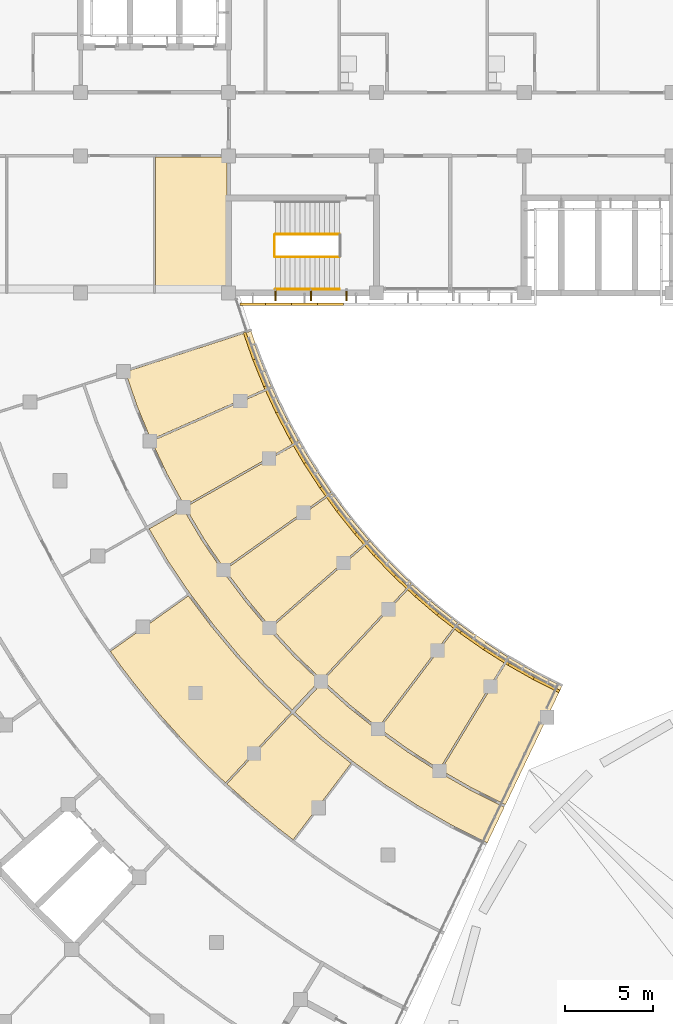
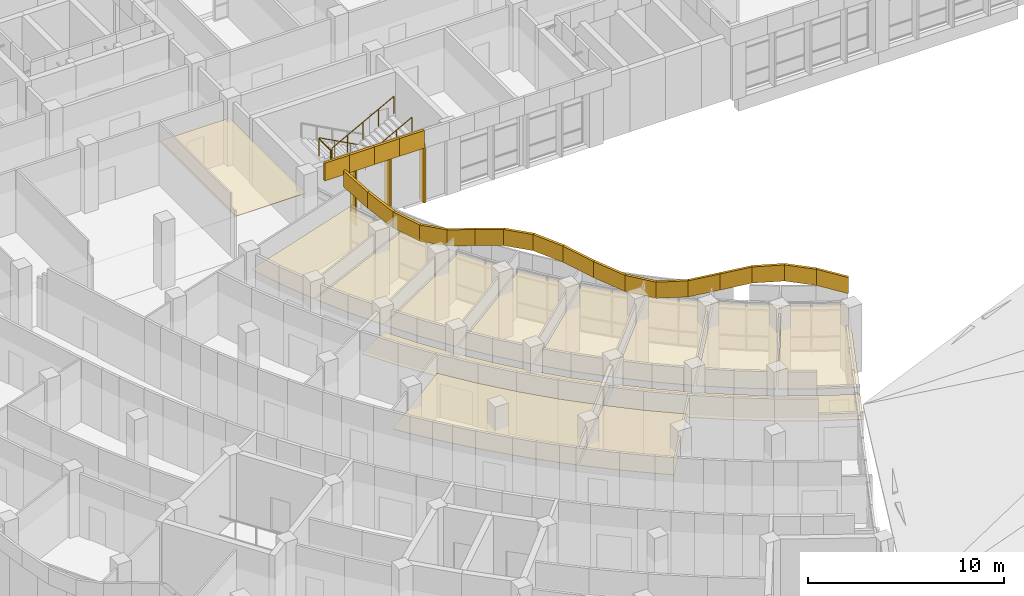
# One storey, part 123 of 137: 34 coverings, 4 railings, 3 shading devices.
"""IFC4 building model written with IfcOpenShell, lengths in metres."""

from ifc_helpers import new_model, si_unit, direction, frame, origin, origin_2d, place, context, subcontext, project, spatial, polyline, rectangle, circle, outline, extrude, material, layer, layer_set, material_profile, profile_set, type_object, element, save


model = new_model("IFC4")

# Units and contexts
model_context = context("Model", 3, precision=1e-05, world=origin(), true_north=direction((0.0, 1.0)))
body_context = subcontext(model_context, "Body", "Model", "MODEL_VIEW")
ifc_project = project(units=[si_unit("LENGTHUNIT", "METRE"), si_unit("AREAUNIT", "SQUARE_METRE"), si_unit("VOLUMEUNIT", "CUBIC_METRE"), si_unit("PLANEANGLEUNIT", "RADIAN"), si_unit("MASSUNIT", "GRAM", prefix="KILO")], contexts=[model_context])

# Site, building, storey
site_placement = place(None, origin())
site = spatial("IfcSite", under=ifc_project, at=site_placement, CompositionType="ELEMENT")
building_placement = place(site_placement, origin())
building = spatial("IfcBuilding", under=site, at=building_placement, Name="Bougainvillea Quay General Hospital", CompositionType="ELEMENT")
storey_placement = place(building_placement, frame((0.0, 0.0, 16.800048828125)))
storey = spatial("IfcBuildingStorey", under=building, at=storey_placement, Name="L03", CompositionType="ELEMENT", Elevation=16.800048828125)

# Coverings
ifc_material_1 = material(Name="Powder-coated aluminium fascia, white", Category="aluminium")
ifc_layer_1 = layer(ifc_material_1, 0.14990234375)
ifc_layer_set_1 = layer_set([ifc_layer_1], Name="Powder-coated aluminium fascia, white")
covering_type_1 = type_object("IfcCoveringType", Name="Aluminium fascia band white 150x1100", PredefinedType="CLADDING", material=ifc_layer_set_1)
covering_1_placement = place(storey_placement, frame((76.242919921875, 117.050048828125, 3.64990234375), z_axis=(0.0, 0.0, 1.0), x_axis=(1.0, 0.0, 0.0)))
element("IfcCovering", 1, at=covering_1_placement, inside=storey, type_object=covering_type_1, Name="Fascia band white e1 1", PredefinedType="CLADDING", context=body_context, shape_type="SweptSolid", body=[
    extrude(outline(polyline([(0.0, 0.0), (1.468994140625, 0.0), (1.468994140625, -0.150146484375), (0.0, -0.150146484375), (0.0, 0.0)])), origin(), (0.0, 0.0, 1.0), 1.10009765625),
])
for number, where, z_axis, x_axis, name in (
    (2, (77.7119140625, 117.050048828125, 3.64990234375), (0.0, 0.0, 1.0), (1.0, 0.0, 0.0), "Fascia band white e1 2"),
    (3, (79.1806640625, 117.050048828125, 3.64990234375), (0.0, 0.0, 1.0), (1.0, 0.0, 0.0), "Fascia band white e1 3"),
    (4, (80.6494140625, 117.050048828125, 3.64990234375), (0.0, 0.0, 1.0), (1.0, 0.0, 0.0), "Fascia band white e1 4"),
):
    element("IfcCovering", number, at=place(storey_placement, frame(where, z_axis=z_axis, x_axis=x_axis)), inside=storey, type_object=covering_type_1, Name=name, PredefinedType="CLADDING", context=body_context, shape_type="SweptSolid", body=[
        extrude(outline(polyline([(0.0, 0.0), (1.46875, 0.0), (1.46875, -0.150146484375), (0.0, -0.150146484375), (0.0, 0.0)])), origin(), (0.0, 0.0, 1.0), 1.10009765625),
    ])
ifc_material_2 = material(Name="Powder-coated aluminium fascia, red", Category="aluminium")
ifc_layer_2 = layer(ifc_material_2, 0.14990234375)
ifc_layer_set_2 = layer_set([ifc_layer_2], Name="Powder-coated aluminium fascia, red")
covering_type_2 = type_object("IfcCoveringType", Name="Aluminium wave fascia ribbon red 150x1000", PredefinedType="CLADDING", material=ifc_layer_set_2)
covering_2_placement = place(storey_placement, frame((94.427490234375, 95.04443359375, 3.633544921875), z_axis=(0.29806277186, -0.150269780387, 0.942643929134), x_axis=(-0.840941292661, 0.425905686942, 0.333799472929)))
element("IfcCovering", 5, at=covering_2_placement, inside=storey, type_object=covering_type_2, Name="Fascia ribbon red a03 1", PredefinedType="CLADDING", context=body_context, shape_type="SweptSolid", body=[
    extrude(outline(polyline([(0.0, 0.0), (1.7293815165750184, -6.700369425960417e-17), (1.7331561247472347, 0.14981915778696953), (9.408274299202435e-05, 0.15001991213305632), (0.0, 0.0)])), origin(), (0.333799472929, 0.000578566234, 0.942643929134), 1.0),
])
covering_3_placement = place(storey_placement, frame((92.97314453125, 95.781005859375, 4.211669921875), z_axis=(0.149121131202, -0.083691137305, 0.985270867206), x_axis=(-0.856654869586, 0.486725695188, 0.170998631743)))
element("IfcCovering", 6, at=covering_3_placement, inside=storey, type_object=covering_type_2, Name="Fascia ribbon red a03 2", PredefinedType="CLADDING", context=body_context, shape_type="SweptSolid", body=[
    extrude(outline(polyline([(0.0, 0.0), (1.6617966748202961, 1.7596601259439737e-16), (1.6653883479941658, 0.1499781847457367), (-0.003718429243266143, 0.14981424879547905), (0.0, 0.0)])), origin(), (0.170998631743, 0.000886665938, 0.985270867206), 1.0),
])
covering_4_placement = place(storey_placement, frame((91.549560546875, 96.58984375, 4.49609375), z_axis=(-0.090521747883, 0.05724041228, 0.994248132189), x_axis=(-0.839991064282, 0.531925149903, -0.107101105629)))
element("IfcCovering", 7, at=covering_4_placement, inside=storey, type_object=covering_type_2, Name="Fascia ribbon red a03 3", PredefinedType="CLADDING", context=body_context, shape_type="SweptSolid", body=[
    extrude(outline(polyline([(0.0, 0.0), (1.646819069200174, 1.0200140157425736e-16), (1.6502854699022804, 0.15014630277266355), (-0.0036607614235906333, 0.14997486154124662), (0.0, 0.0)])), origin(), (-0.107101105629, -6.9359481e-05, 0.994248132189), 1.0),
])
covering_5_placement = place(storey_placement, frame((90.166259765625, 97.4658203125, 4.31884765625), z_axis=(-0.25410717322, 0.178329686176, 0.950593534349), x_axis=(-0.778043366821, 0.546147038711, -0.310438289281)))
element("IfcCovering", 8, at=covering_5_placement, inside=storey, type_object=covering_type_2, Name="Fascia ribbon red a03 4", PredefinedType="CLADDING", context=body_context, shape_type="SweptSolid", body=[
    extrude(outline(polyline([(0.0, 0.0), (1.7223741294345825, -4.718989955743158e-17), (1.7262172405705087, 0.14991073318713827), (-0.003873702924946272, 0.15014117243473302), (0.0, 0.0)])), origin(), (-0.310438289281, -3.1650733e-05, 0.950593534349), 1.0),
])
covering_6_placement = place(storey_placement, frame((88.826171875, 98.406494140625, 3.782958984375), z_axis=(-0.265347335692, 0.20528850189, 0.942044278382), x_axis=(-0.744262432632, 0.577512821491, -0.335488259685)))
element("IfcCovering", 9, at=covering_6_placement, inside=storey, type_object=covering_type_2, Name="Fascia ribbon red a03 5", PredefinedType="CLADDING", context=body_context, shape_type="SweptSolid", body=[
    extrude(outline(polyline([(0.0, 0.0), (1.7378914895900057, -6.223320470066795e-17), (1.741952747603245, 0.1500335531321023), (-0.003738522266677123, 0.1499133754145552), (0.0, 0.0)])), origin(), (-0.335488259685, -0.000452968703, 0.942044278382), 1.0),
])
covering_7_placement = place(storey_placement, frame((87.53271484375, 99.41015625, 3.198974609375), z_axis=(-0.134563614988, 0.114059967721, 0.984318524302), x_axis=(-0.747992451129, 0.639836590862, -0.176398497865)))
element("IfcCovering", 10, at=covering_7_placement, inside=storey, type_object=covering_type_2, Name="Fascia ribbon red a03 6", PredefinedType="CLADDING", context=body_context, shape_type="SweptSolid", body=[
    extrude(outline(polyline([(0.0, 0.0), (1.6636318491195026, -1.406752318799942e-16), (1.6670891103112924, 0.15003677300289625), (-0.003404773134024968, 0.15004353487581687), (0.0, 0.0)])), origin(), (-0.176398497865, -0.000782729837, 0.984318524302), 1.0),
])
covering_8_placement = place(storey_placement, frame((86.288330078125, 100.474609375, 2.9052734375), z_axis=(0.074139042866, -0.068637084926, 0.994883085039), x_axis=(-0.724312944745, 0.682029203128, 0.101029323251)))
element("IfcCovering", 11, at=covering_8_placement, inside=storey, type_object=covering_type_2, Name="Fascia ribbon red a03 7", PredefinedType="CLADDING", context=body_context, shape_type="SweptSolid", body=[
    extrude(outline(polyline([(0.0, 0.0), (1.645552981483053, 6.318188160159277e-17), (1.649229370401358, 0.1499767285379104), (-0.0037846916529383702, 0.1500272811601432), (0.0, 0.0)])), origin(), (0.101029323251, 0.000850263226, 0.994883085039), 1.0),
])
covering_9_placement = place(storey_placement, frame((85.096435546875, 101.596923828125, 3.072265625), z_axis=(0.213169407889, -0.222031897342, 0.951451859057), x_axis=(-0.660756984961, 0.684588525166, 0.307796617975)))
element("IfcCovering", 12, at=covering_9_placement, inside=storey, type_object=covering_type_2, Name="Fascia ribbon red a03 8", PredefinedType="CLADDING", context=body_context, shape_type="SweptSolid", body=[
    extrude(outline(polyline([(0.0, 0.0), (1.7210812791511807, 2.168404344971009e-18), (1.7247689054219346, 0.14993252440957702), (-0.0037248904014808228, 0.14997969855575033), (0.0, 0.0)])), origin(), (0.307796617975, -0.000775796496, 0.951451859057), 1.0),
])
covering_10_placement = place(storey_placement, frame((83.959228515625, 102.775146484375, 3.603271484375), z_axis=(0.221694011756, -0.253784055746, 0.941512303797), x_axis=(-0.620804944437, 0.707846755873, 0.336978027715)))
element("IfcCovering", 13, at=covering_10_placement, inside=storey, type_object=covering_type_2, Name="Fascia ribbon red a03 9", PredefinedType="CLADDING", context=body_context, shape_type="SweptSolid", body=[
    extrude(outline(polyline([(0.0, 0.0), (1.7389917172675555, 2.3375398838787476e-16), (1.7427007986040153, 0.1498775125783651), (-0.003877510674861906, 0.14993170024237265), (0.0, 0.0)])), origin(), (0.336978027715, -0.000625009609, 0.941512303797), 1.0),
])
covering_11_placement = place(storey_placement, frame((82.879638671875, 104.006103515625, 4.190185546875), z_axis=(0.113176701432, -0.142173607942, 0.983350242517), x_axis=(-0.612360751827, 0.769410169803, 0.181720390233)))
element("IfcCovering", 14, at=covering_11_placement, inside=storey, type_object=covering_type_2, Name="Fascia ribbon red a03 10", PredefinedType="CLADDING", context=body_context, shape_type="SweptSolid", body=[
    extrude(outline(polyline([(0.0, 0.0), (1.6649085019730718, 2.831969955850028e-16), (1.6686074171510314, 0.15000656372553026), (-0.0037282358307239856, 0.14987385998797417), (0.0, 0.0)])), origin(), (0.181720390233, 1.7767617e-05, 0.983350242517), 1.0),
])
covering_12_placement = place(storey_placement, frame((81.860107421875, 105.287109375, 4.492919921875), z_axis=(-0.055480503471, 0.077039083511, 0.99548324614), x_axis=(-0.582005707547, 0.807623829897, -0.094937378124)))
element("IfcCovering", 15, at=covering_12_placement, inside=storey, type_object=covering_type_2, Name="Fascia ribbon red a03 11", PredefinedType="CLADDING", context=body_context, shape_type="SweptSolid", body=[
    extrude(outline(polyline([(0.0, 0.0), (1.6447731011677573, 6.164028163758994e-17), (1.648440410617964, 0.14995005225816369), (-0.0035731247437200287, 0.15000856050528202), (0.0, 0.0)])), origin(), (-0.094937378124, 2.9809609e-05, 0.99548324614), 1.0),
])
covering_13_placement = place(storey_placement, frame((80.90283203125, 106.615478515625, 4.336181640625), z_axis=(-0.166956885659, 0.25524364076, 0.952352918924), x_axis=(-0.519290907554, 0.798319223065, -0.304997330179)))
element("IfcCovering", 16, at=covering_13_placement, inside=storey, type_object=covering_type_2, Name="Fascia ribbon red a03 12", PredefinedType="CLADDING", context=body_context, shape_type="SweptSolid", body=[
    extrude(outline(polyline([(0.0, 0.0), (1.719319283745612, -5.7462715141731735e-18), (1.7230441426938028, 0.15003235199952503), (-0.003651433006408403, 0.14995289246286614), (0.0, 0.0)])), origin(), (-0.304997330179, -0.000739189386, 0.952352918924), 1.0),
])
covering_14_placement = place(storey_placement, frame((80.010009765625, 107.988037109375, 3.810546875), z_axis=(-0.170928319809, 0.292036952201, 0.941008994663), x_axis=(-0.474932083196, 0.812365354701, -0.338381510773)))
element("IfcCovering", 17, at=covering_14_placement, inside=storey, type_object=covering_type_2, Name="Fascia ribbon red a03 13", PredefinedType="CLADDING", context=body_context, shape_type="SweptSolid", body=[
    extrude(outline(polyline([(0.0, 0.0), (1.7400919700489086, 3.542630598596386e-17), (1.7437834965656964, 0.15011061702443332), (-0.003832138088483066, 0.1500296424633766), (0.0, 0.0)])), origin(), (-0.338381510773, -0.00015852707, 0.941008994663), 1.0),
])
covering_15_placement = place(storey_placement, frame((79.18359375, 109.401611328125, 3.220703125), z_axis=(-0.085836398243, 0.166158225325, 0.982356125289), x_axis=(-0.454725053137, 0.870775138862, -0.187018137061)))
element("IfcCovering", 18, at=covering_15_placement, inside=storey, type_object=covering_type_2, Name="Fascia ribbon red a03 14", PredefinedType="CLADDING", context=body_context, shape_type="SweptSolid", body=[
    extrude(outline(polyline([(0.0, 0.0), (1.6665469119528022, -3.230922474006803e-17), (1.6703072154133414, 0.1500842695197681), (-0.0037621990244443406, 0.15010566611402096), (0.0, 0.0)])), origin(), (-0.187018137061, 0.000812106241, 0.982356125289), 1.0),
])
covering_16_placement = place(storey_placement, frame((78.42578125, 110.852783203125, 2.908935546875), z_axis=(0.037195416722, -0.080602106916, 0.996052107741), x_axis=(-0.418392496294, 0.903917878309, 0.088770424796)))
element("IfcCovering", 19, at=covering_16_placement, inside=storey, type_object=covering_type_2, Name="Fascia ribbon red a03 15", PredefinedType="CLADDING", context=body_context, shape_type="SweptSolid", body=[
    extrude(outline(polyline([(0.0, 0.0), (1.6437626496707045, 9.059694997242546e-17), (1.6475700096443124, 0.14998111887197518), (-0.0034635322063364888, 0.1500913493026283), (0.0, 0.0)])), origin(), (0.088770424796, -0.000101714553, 0.996052107741), 1.0),
])
covering_17_placement = place(storey_placement, frame((77.738037109375, 112.338623046875, 3.055419921875), z_axis=(0.114295520474, -0.279717192555, 0.95325485899), x_axis=(-0.358729945052, 0.883180623372, 0.302166862882)))
element("IfcCovering", 20, at=covering_17_placement, inside=storey, type_object=covering_type_2, Name="Fascia ribbon red a03 16", PredefinedType="CLADDING", context=body_context, shape_type="SweptSolid", body=[
    extrude(outline(polyline([(0.0, 0.0), (1.717755255231805, 3.491130995403324e-17), (1.7214777105112153, 0.15009020695442818), (-0.0035109986681412133, 0.14999082552653253), (0.0, 0.0)])), origin(), (0.302166862882, 0.000600655905, 0.95325485899), 1.0),
])
covering_18_placement = place(storey_placement, frame((77.121826171875, 113.855712890625, 3.57568359375), z_axis=(0.113034990162, -0.320516082448, 0.940474631179), x_axis=(-0.311859242978, 0.88726346555, 0.339863730443)))
element("IfcCovering", 21, at=covering_18_placement, inside=storey, type_object=covering_type_2, Name="Fascia ribbon red a03 17", PredefinedType="CLADDING", context=body_context, shape_type="SweptSolid", body=[
    extrude(outline(polyline([(0.0, 0.0), (1.7332568640154546, -9.839134715305953e-18), (1.733226740469295, 0.1501049854812047), (-0.00385832261471329, 0.15008676975075455), (0.0, 0.0)])), origin(), (0.339863730443, 0.000335914265, 0.940474631179), 1.0),
])

# Railings
ifc_material_3 = material(Name="Stainless steel 304 balustrade", Category="steel")
railing_type_1 = type_object("IfcRailingType", Name="Stair guard 1100", PredefinedType="GUARDRAIL", material=ifc_material_3)
railing_1_placement = place(storey_placement, frame((81.89990234375, 120.949951171875, 0.14990234375)))
element("IfcRailing", 22, at=railing_1_placement, inside=storey, type_object=railing_type_1, Name="L03 ST-B2 stair guard 1", PredefinedType="GUARDRAIL", context=body_context, shape_type="SweptSolid", body=[
    extrude(circle(Radius=0.02392578125, at=origin_2d()), frame((0.0, 0.0, 1.076171875), z_axis=(-0.881479091078, 0.0, 0.472223053219), x_axis=(0.0, -1.0, 0.0)), (0.0, 0.0, 1.0), 4.12939453125),
    extrude(circle(Radius=0.02099609375, at=origin_2d()), origin(), (0.0, 0.0, 1.0), 1.052001953125),
    extrude(circle(Radius=0.02099609375, at=origin_2d()), frame((-0.909912109375, 0.0, 0.487548828125)), (0.0, 0.0, 1.0), 1.052001953125),
    extrude(circle(Radius=0.02099609375, at=origin_2d()), frame((-1.81982421875, 0.0, 0.97509765625)), (0.0, 0.0, 1.0), 1.052001953125),
    extrude(circle(Radius=0.02099609375, at=origin_2d()), frame((-2.72998046875, 0.0, 1.46240234375)), (0.0, 0.0, 1.0), 1.052001953125),
    extrude(circle(Radius=0.02099609375, at=origin_2d()), frame((-3.639892578125, 0.0, 1.949951171875)), (0.0, 0.0, 1.0), 1.052001953125),
])
railing_2_placement = place(storey_placement, frame((78.2099609375, 120.89990234375, 2.099853515625)))
element("IfcRailing", 23, at=railing_2_placement, inside=storey, type_object=railing_type_1, Name="L03 ST-B2 stair guard 2", PredefinedType="GUARDRAIL", context=body_context, shape_type="SweptSolid", body=[
    extrude(circle(Radius=0.02392578125, at=origin_2d()), frame((0.0, 0.0, 1.076171875), z_axis=(0.0, -1.0, 0.0), x_axis=(1.0, 0.0, 0.0)), (0.0, 0.0, 1.0), 1.199951171875),
    extrude(circle(Radius=0.02099609375, at=origin_2d()), origin(), (0.0, 0.0, 1.0), 1.052001953125),
    extrude(circle(Radius=0.02099609375, at=origin_2d()), frame((0.0, -1.199951171875, 0.0)), (0.0, 0.0, 1.0), 1.052001953125),
])
railing_3_placement = place(storey_placement, frame((78.260009765625, 119.64990234375, 2.25)))
element("IfcRailing", 24, at=railing_3_placement, inside=storey, type_object=railing_type_1, Name="L03 ST-B2 stair guard 3", PredefinedType="GUARDRAIL", context=body_context, shape_type="SweptSolid", body=[
    extrude(circle(Radius=0.02392578125, at=origin_2d()), frame((0.0, 0.0, 1.076171875), z_axis=(0.881479091078, 0.0, 0.472223053219), x_axis=(0.0, 1.0, 0.0)), (0.0, 0.0, 1.0), 4.12939453125),
    extrude(circle(Radius=0.02099609375, at=origin_2d()), origin(), (0.0, 0.0, 1.0), 1.052001953125),
    extrude(circle(Radius=0.02099609375, at=origin_2d()), frame((0.909912109375, 0.0, 0.487548828125)), (0.0, 0.0, 1.0), 1.052001953125),
    extrude(circle(Radius=0.02099609375, at=origin_2d()), frame((1.81982421875, 0.0, 0.97509765625)), (0.0, 0.0, 1.0), 1.052001953125),
    extrude(circle(Radius=0.02099609375, at=origin_2d()), frame((2.72998046875, 0.0, 1.46240234375)), (0.0, 0.0, 1.0), 1.052001953125),
    extrude(circle(Radius=0.02099609375, at=origin_2d()), frame((3.639892578125, 0.0, 1.949951171875)), (0.0, 0.0, 1.0), 1.052001953125),
])
ifc_material_4 = material(Name="Stainless steel 304 handrail", Category="steel")
railing_type_2 = type_object("IfcRailingType", Name="Stair handrail 900", PredefinedType="HANDRAIL", material=ifc_material_4)
railing_4_placement = place(storey_placement, frame((78.260009765625, 117.824951171875, 2.25)))
element("IfcRailing", 25, at=railing_4_placement, inside=storey, type_object=railing_type_2, Name="L03 ST-B2 stair handrail 2", PredefinedType="HANDRAIL", context=body_context, shape_type="SweptSolid", body=[
    extrude(circle(Radius=0.02392578125, at=origin_2d()), frame((0.0, 0.0, 0.8759765625), z_axis=(0.881479091078, 0.0, 0.472223053219), x_axis=(0.0, 1.0, 0.0)), (0.0, 0.0, 1.0), 4.12939453125),
    extrude(circle(Radius=0.02099609375, at=origin_2d()), origin(), (0.0, 0.0, 1.0), 0.851806640625),
    extrude(circle(Radius=0.02099609375, at=origin_2d()), frame((0.909912109375, 0.0, 0.487548828125)), (0.0, 0.0, 1.0), 0.851806640625),
    extrude(circle(Radius=0.02099609375, at=origin_2d()), frame((1.81982421875, 0.0, 0.97509765625)), (0.0, 0.0, 1.0), 0.851806640625),
    extrude(circle(Radius=0.02099609375, at=origin_2d()), frame((2.72998046875, 0.0, 1.46240234375)), (0.0, 0.0, 1.0), 0.851806640625),
    extrude(circle(Radius=0.02099609375, at=origin_2d()), frame((3.639892578125, 0.0, 1.949951171875)), (0.0, 0.0, 1.0), 0.851806640625),
])

# Coverings
ifc_material_5 = material(Name="Mineral fibre ceiling tile")
ifc_layer_3 = layer(ifc_material_5, 0.030029296875)
ifc_layer_set_3 = layer_set([ifc_layer_3], Name="Mineral fibre ceiling tile")
covering_type_3 = type_object("IfcCoveringType", Name="Suspended ceiling mineral fibre tile", PredefinedType="CEILING", material=ifc_layer_set_3)
covering_19_placement = place(storey_placement, frame((0.0, 0.0, 2.699951171875)))
element("IfcCovering", 26, at=covering_19_placement, inside=storey, type_object=covering_type_3, Name="Ceiling Treatment and Clean Utility Room 03B08", PredefinedType="CEILING", context=body_context, shape_type="SweptSolid", body=[
    extrude(outline(polyline([(75.550048828125, 117.60009765625), (75.550048828125, 122.89990234375), (75.5, 122.89990234375), (75.5, 125.324951171875), (71.449951171875, 125.324951171875), (71.449951171875, 117.60009765625), (75.550048828125, 117.60009765625)])), origin(), (0.0, 0.0, 1.0), 0.030029296875),
])
covering_20_placement = place(storey_placement, frame((0.0, 0.0, 2.39990234375)))
element("IfcCovering", 27, at=covering_20_placement, inside=storey, type_object=covering_type_3, Name="Ceiling Clinic Corridor 03W1", PredefinedType="CEILING", context=body_context, shape_type="SweptSolid", body=[
    extrude(outline(polyline([(91.299072265625, 88.468994140625), (91.265625, 88.40185546875), (89.43994140625, 89.310302734375), (89.437744140625, 89.306640625), (89.37451171875, 89.3427734375), (89.309326171875, 89.375244140625), (89.311279296875, 89.379150390625), (87.60546875, 90.3583984375), (87.603515625, 90.355224609375), (87.5419921875, 90.39501953125), (87.478515625, 90.431396484375), (87.48046875, 90.4345703125), (85.826416015625, 91.499267578125), (85.82421875, 91.496337890625), (85.764892578125, 91.5390625), (85.703369140625, 91.57861328125), (85.705322265625, 91.58154296875), (84.107177734375, 92.728515625), (84.10498046875, 92.7255859375), (84.047607421875, 92.771240234375), (83.98828125, 92.813720703125), (83.990478515625, 92.81689453125), (82.451416015625, 94.044189453125), (82.44873046875, 94.041015625), (82.39453125, 94.08984375), (82.337646484375, 94.135009765625), (82.34033203125, 94.138427734375), (80.898193359375, 95.435302734375), (79.366455078125, 93.7890625), (80.948486328125, 92.3662109375), (82.689208984375, 90.976806640625), (84.499267578125, 89.677978515625), (86.3720703125, 88.47314453125), (88.303466796875, 87.3642578125), (90.29833984375, 86.37158203125), (91.299072265625, 88.468994140625)])), origin(), (0.0, 0.0, 1.0), 0.030029296875),
])
covering_21_placement = place(storey_placement, frame((0.0, 0.0, 2.699951171875)))
element("IfcCovering", 28, at=covering_21_placement, inside=storey, type_object=covering_type_3, Name="Ceiling Mental Health Outpatient Consulting Room 03W102", PredefinedType="CEILING", context=body_context, shape_type="SweptSolid", body=[
    extrude(outline(polyline([(80.79736328125, 92.300537109375), (79.26416015625, 93.67919921875), (79.260986328125, 93.677734375), (79.225830078125, 93.71142578125), (75.50439453125, 89.711669921875), (77.0439453125, 88.3388671875), (78.44970703125, 87.1796875), (79.271728515625, 86.54541015625), (82.55810546875, 90.88623046875), (82.539306640625, 90.89990234375), (82.54150390625, 90.90283203125), (80.908447265625, 92.206298828125), (80.905517578125, 92.203125), (80.8515625, 92.251708984375), (80.794677734375, 92.297119140625), (80.79736328125, 92.300537109375)])), origin(), (0.0, 0.0, 1.0), 0.030029296875),
])
covering_22_placement = place(storey_placement, frame((0.0, 0.0, 2.699951171875)))
element("IfcCovering", 29, at=covering_22_placement, inside=storey, type_object=covering_type_3, Name="Ceiling Mental Health Outpatient Consulting Room 03W111", PredefinedType="CEILING", context=body_context, shape_type="SweptSolid", body=[
    extrude(outline(polyline([(94.56298828125, 95.31201171875), (94.540283203125, 95.267333984375), (93.067626953125, 96.015869140625), (93.06640625, 96.013671875), (93.024169921875, 96.0380859375), (92.980712890625, 96.06005859375), (92.98193359375, 96.062255859375), (91.54736328125, 96.88427734375), (87.663330078125, 90.498291015625), (89.4453125, 89.47509765625), (91.331298828125, 88.53662109375), (94.56298828125, 95.31201171875)])), origin(), (0.0, 0.0, 1.0), 0.030029296875),
])
covering_23_placement = place(storey_placement, frame((0.0, 0.0, 2.699951171875)))
element("IfcCovering", 30, at=covering_23_placement, inside=storey, type_object=covering_type_3, Name="Ceiling Mental Health Outpatient Examination Room 03W112", PredefinedType="CEILING", context=body_context, shape_type="SweptSolid", body=[
    extrude(outline(polyline([(89.52197265625, 98.27294921875), (89.492431640625, 98.232666015625), (88.690185546875, 98.821533203125), (84.178955078125, 92.861572265625), (85.84912109375, 91.6630859375), (87.577880859375, 90.55029296875), (91.4619140625, 96.936279296875), (90.18310546875, 97.755859375), (90.2099609375, 97.798095703125), (89.52197265625, 98.27294921875)])), origin(), (0.0, 0.0, 1.0), 0.030029296875),
])
covering_24_placement = place(storey_placement, frame((0.0, 0.0, 2.699951171875)))
element("IfcCovering", 31, at=covering_24_placement, inside=storey, type_object=covering_type_3, Name="Ceiling Mental Health Outpatient Treatment Room 03W113", PredefinedType="CEILING", context=body_context, shape_type="SweptSolid", body=[
    extrude(outline(polyline([(87.4365234375, 99.81591796875), (87.435546875, 99.814453125), (87.35986328125, 99.876953125), (87.36083984375, 99.87841796875), (86.682373046875, 100.45947265625), (86.681396484375, 100.458251953125), (86.607421875, 100.5234375), (86.6083984375, 100.524658203125), (86.04296875, 101.037841796875), (80.96337890625, 95.578369140625), (82.491455078125, 94.204345703125), (84.09912109375, 92.922119140625), (88.610595703125, 98.88232421875), (87.4365234375, 99.81591796875)])), origin(), (0.0, 0.0, 1.0), 0.030029296875),
])
covering_25_placement = place(storey_placement, frame((0.0, 0.0, 2.39990234375)))
element("IfcCovering", 32, at=covering_25_placement, inside=storey, type_object=covering_type_3, Name="Ceiling Clinic Corridor 03W1", PredefinedType="CEILING", context=body_context, shape_type="SweptSolid", body=[
    extrude(outline(polyline([(79.2490234375, 97.01806640625), (79.251953125, 97.02099609375), (77.917236328125, 98.466796875), (77.914306640625, 98.46435546875), (77.86767578125, 98.5205078125), (77.818115234375, 98.57421875), (77.82080078125, 98.57666015625), (76.56201171875, 100.088134765625), (76.55908203125, 100.0859375), (76.51513671875, 100.14453125), (76.46826171875, 100.20068359375), (76.47119140625, 100.203125), (75.290771484375, 101.77587890625), (75.287841796875, 101.77392578125), (75.246826171875, 101.83447265625), (75.202880859375, 101.89306640625), (75.2060546875, 101.895263671875), (74.105224609375, 103.527587890625), (74.1015625, 103.525390625), (74.064453125, 103.587890625), (74.02392578125, 103.648193359375), (74.027587890625, 103.650634765625), (73.040771484375, 105.32080078125), (71.086181640625, 104.208984375), (72.16845703125, 102.376953125), (73.4130859375, 100.530517578125), (74.750732421875, 98.74853515625), (76.176513671875, 97.037353515625), (77.6865234375, 95.400390625), (79.219970703125, 93.92529296875), (80.751953125, 95.571533203125), (79.35400390625, 96.9169921875), (79.350830078125, 96.9140625), (79.301513671875, 96.967529296875), (79.2490234375, 97.01806640625)])), origin(), (0.0, 0.0, 1.0), 0.030029296875),
])
covering_26_placement = place(storey_placement, frame((0.0, 0.0, 2.699951171875)))
element("IfcCovering", 33, at=covering_26_placement, inside=storey, type_object=covering_type_3, Name="Ceiling Psychology Waiting Hall 03W101", PredefinedType="CEILING", context=body_context, shape_type="SweptSolid", body=[
    extrude(outline(polyline([(70.199951171875, 95.480224609375), (70.974853515625, 94.515625), (71.7734375, 93.5703125), (72.9970703125, 92.2099609375), (73.8525390625, 91.3154296875), (74.730224609375, 90.44287109375), (75.430908203125, 89.779296875), (79.15283203125, 93.779541015625), (79.116455078125, 93.81201171875), (79.117919921875, 93.8154296875), (77.6318359375, 95.244873046875), (77.628662109375, 95.241943359375), (77.579345703125, 95.29541015625), (77.52685546875, 95.345947265625), (77.530029296875, 95.34912109375), (76.11328125, 96.884765625), (76.1103515625, 96.88232421875), (76.0634765625, 96.9384765625), (76.013916015625, 96.9921875), (76.016845703125, 96.994873046875), (74.679931640625, 98.59912109375), (74.677001953125, 98.596923828125), (74.633056640625, 98.655517578125), (74.58642578125, 98.711669921875), (74.589111328125, 98.7138671875), (73.334716796875, 100.385009765625), (73.331787109375, 100.3828125), (73.31884765625, 100.402099609375), (68.889404296875, 97.249267578125), (69.449462890625, 96.464599609375), (70.199951171875, 95.480224609375)])), origin(), (0.0, 0.0, 1.0), 0.030029296875),
])
covering_27_placement = place(storey_placement, frame((0.0, 0.0, 2.699951171875)))
element("IfcCovering", 34, at=covering_27_placement, inside=storey, type_object=covering_type_3, Name="Ceiling Psychology Consulting Room 03W111", PredefinedType="CEILING", context=body_context, shape_type="SweptSolid", body=[
    extrude(outline(polyline([(85.97021484375, 101.1064453125), (84.9326171875, 102.119384765625), (84.931396484375, 102.118408203125), (84.8623046875, 102.188232421875), (84.863525390625, 102.189453125), (84.21240234375, 102.870361328125), (84.211181640625, 102.869384765625), (84.144287109375, 102.941650390625), (84.145263671875, 102.942626953125), (83.6337890625, 103.510986328125), (78.014404296875, 98.582763671875), (79.40869140625, 97.072509765625), (80.89013671875, 95.646484375), (85.97021484375, 101.1064453125)])), origin(), (0.0, 0.0, 1.0), 0.030029296875),
])
covering_28_placement = place(storey_placement, frame((0.0, 0.0, 2.699951171875)))
element("IfcCovering", 35, at=covering_28_placement, inside=storey, type_object=covering_type_3, Name="Ceiling Counselling Examination Room 03W112", PredefinedType="CEILING", context=body_context, shape_type="SweptSolid", body=[
    extrude(outline(polyline([(77.948486328125, 98.657958984375), (83.568359375, 103.58642578125), (82.669677734375, 104.660888671875), (82.668212890625, 104.659912109375), (82.606689453125, 104.736328125), (82.60791015625, 104.7373046875), (81.998291015625, 105.52001953125), (81.9970703125, 105.51904296875), (81.937744140625, 105.59765625), (81.93896484375, 105.5986328125), (81.48779296875, 106.215576171875), (75.399169921875, 101.881591796875), (76.6328125, 100.237548828125), (77.948486328125, 98.657958984375)])), origin(), (0.0, 0.0, 1.0), 0.030029296875),
])
covering_29_placement = place(storey_placement, frame((0.0, 0.0, 2.699951171875)))
element("IfcCovering", 36, at=covering_29_placement, inside=storey, type_object=covering_type_3, Name="Ceiling Psychology Treatment Room 03W113", PredefinedType="CEILING", context=body_context, shape_type="SweptSolid", body=[
    extrude(outline(polyline([(80.013427734375, 108.464599609375), (79.626708984375, 109.1240234375), (73.145751953125, 105.43798828125), (74.19140625, 103.66796875), (75.341064453125, 101.962890625), (81.43017578125, 106.29736328125), (80.670654296875, 107.41796875), (80.669189453125, 107.4169921875), (80.615478515625, 107.499267578125), (80.616943359375, 107.500244140625), (80.064453125, 108.38037109375), (80.063232421875, 108.379638671875), (80.011962890625, 108.4638671875), (80.013427734375, 108.464599609375)])), origin(), (0.0, 0.0, 1.0), 0.030029296875),
])
covering_30_placement = place(storey_placement, frame((0.0, 0.0, 2.699951171875)))
element("IfcCovering", 37, at=covering_30_placement, inside=storey, type_object=covering_type_3, Name="Ceiling Child Development Consulting Room 03W211", PredefinedType="CEILING", context=body_context, shape_type="SweptSolid", body=[
    extrude(outline(polyline([(78.908203125, 110.454345703125), (78.90966796875, 110.455078125), (78.4296875, 111.42041015625), (78.42822265625, 111.419677734375), (78.385986328125, 111.508544921875), (78.387451171875, 111.50927734375), (78.070068359375, 112.205322265625), (71.23193359375, 109.18701171875), (72.10986328125, 107.328125), (73.09619140625, 105.52490234375), (79.577880859375, 109.21142578125), (78.954833984375, 110.36767578125), (78.953369140625, 110.366943359375), (78.908203125, 110.454345703125)])), origin(), (0.0, 0.0, 1.0), 0.030029296875),
])
covering_31_placement = place(storey_placement, frame((0.0, 0.0, 2.699951171875)))
element("IfcCovering", 38, at=covering_31_placement, inside=storey, type_object=covering_type_3, Name="Ceiling Child Development Examination Room 03W212", PredefinedType="CEILING", context=body_context, shape_type="SweptSolid", body=[
    extrude(outline(polyline([(76.880126953125, 115.445556640625), (69.74267578125, 113.122802734375), (70.41015625, 111.179443359375), (71.191650390625, 109.278564453125), (78.030029296875, 112.296875), (77.52734375, 113.50830078125), (77.525634765625, 113.507568359375), (77.48974609375, 113.59912109375), (77.4912109375, 113.599609375), (77.085205078125, 114.683349609375), (77.132080078125, 114.700927734375), (76.880126953125, 115.445556640625)])), origin(), (0.0, 0.0, 1.0), 0.030029296875),
])

# Shading devices
ifc_material_6 = material(Name="Powder-coated aluminium fin, white", Category="aluminium")
ifc_material_profile = material_profile(ifc_material_6, rectangle(XDim=0.550048828125, YDim=0.10009765625, at=origin_2d()))
ifc_profile_set = profile_set([ifc_material_profile], Name="Powder-coated aluminium fin, white")
shading_device_type = type_object("IfcShadingDeviceType", Name="Vertical fin 550x100", PredefinedType="USERDEFINED", material=ifc_profile_set)
for number, where, z_axis, x_axis, name in (
    (39, (82.302001953125, 117.455078125, 0.0), (0.0, 0.0, 1.0), (0.0, -1.0, 0.0), "Vertical fin V5B L03 10.4"),
    (40, (80.281982421875, 117.455078125, 0.0), (0.0, 0.0, 1.0), (0.0, -1.0, 0.0), "Vertical fin V5B L03 10.5"),
    (41, (78.262939453125, 117.455078125, 0.0), (0.0, 0.0, 1.0), (0.0, -1.0, 0.0), "Vertical fin V5B L03 10.6"),
):
    element("IfcShadingDevice", number, at=place(storey_placement, frame(where, z_axis=z_axis, x_axis=x_axis)), inside=storey, type_object=shading_device_type, Name=name, ObjectType="Vertical fin", PredefinedType="USERDEFINED", context=body_context, shape_type="SweptSolid", body=[
        extrude(rectangle(XDim=0.550048828125, YDim=0.10009765625, at=origin_2d()), origin(), (0.0, 0.0, 1.0), 3.6298828125),
    ])

save(model, "model.ifc")
